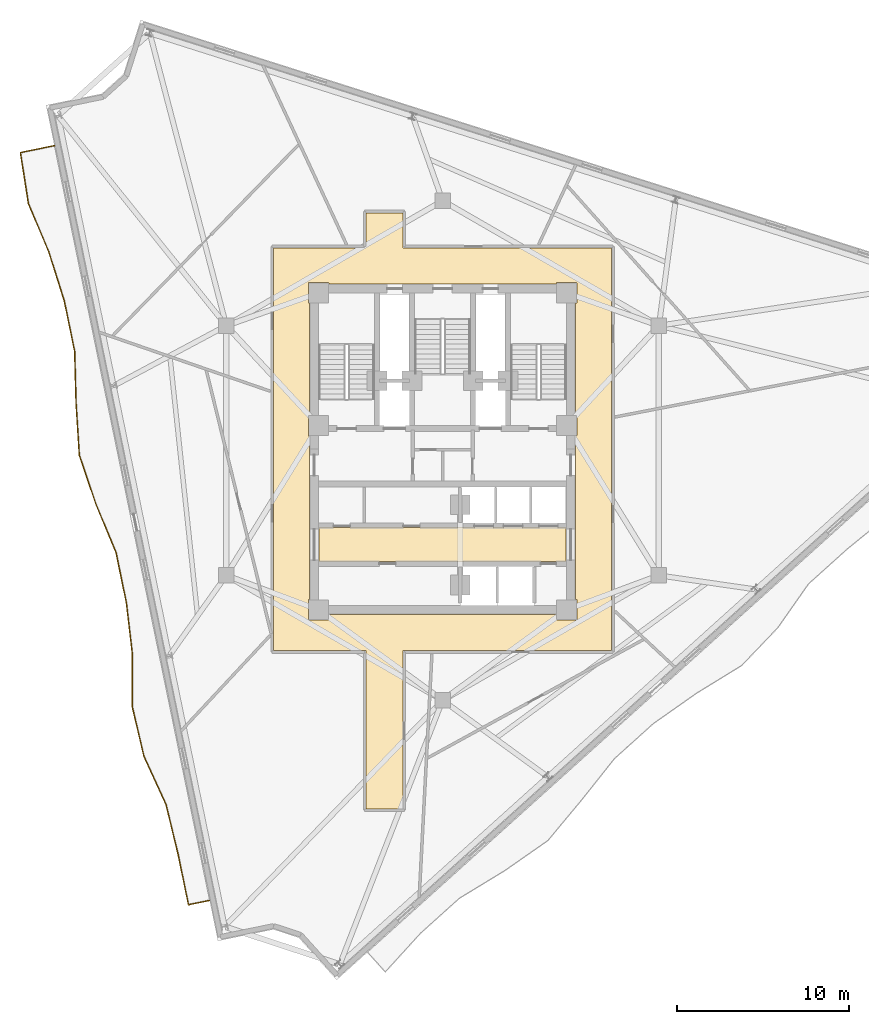
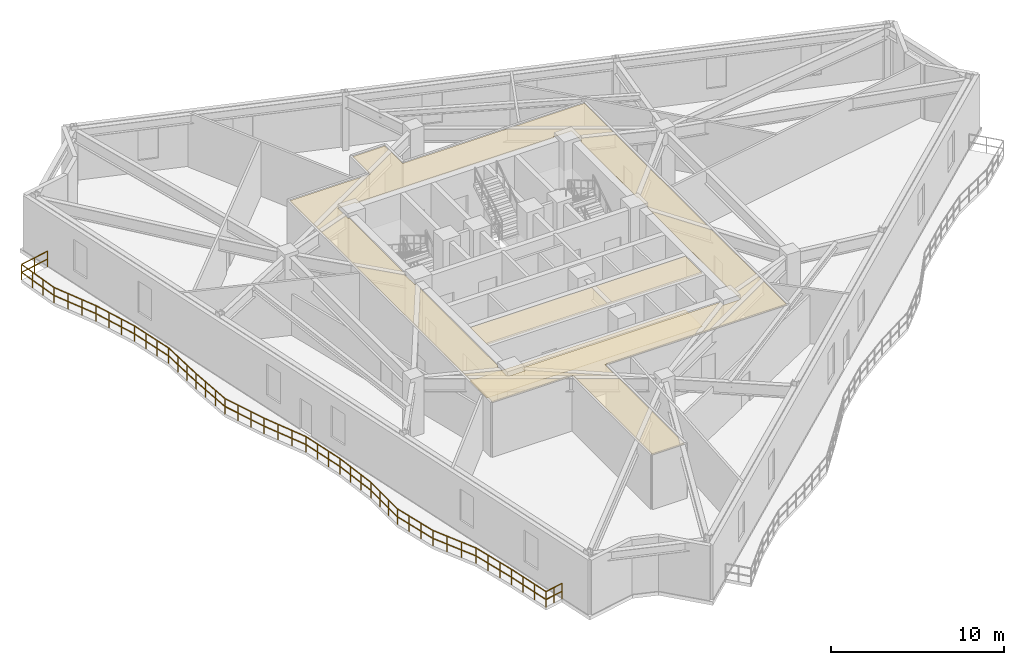
# One storey, part 9 of 11: 3 coverings, 1 railing.
"""IFC4 building model written with IfcOpenShell, lengths in metres."""

from ifc_helpers import new_model, si_unit, direction, frame, origin, origin_2d, place, context, subcontext, project, spatial, polyline, rectangle, outline, extrude, material, layer, layer_set, type_object, element, save


model = new_model("IFC4")

# Units and contexts
model_context = context("Model", 3, precision=1e-05, world=origin(), true_north=direction((0.0, 1.0)))
body_context = subcontext(model_context, "Body", "Model", "MODEL_VIEW")
ifc_project = project(units=[si_unit("LENGTHUNIT", "METRE"), si_unit("AREAUNIT", "SQUARE_METRE"), si_unit("VOLUMEUNIT", "CUBIC_METRE"), si_unit("PLANEANGLEUNIT", "RADIAN"), si_unit("MASSUNIT", "GRAM", prefix="KILO")], contexts=[model_context])

# Site, building, storey
site_placement = place(None, origin())
site = spatial("IfcSite", under=ifc_project, at=site_placement, CompositionType="ELEMENT")
building_placement = place(site_placement, origin())
building = spatial("IfcBuilding", under=site, at=building_placement, Name="Apsidion Concourse Tower", CompositionType="ELEMENT")
storey_placement = place(building_placement, frame((0.0, 0.0, 244.5)))
storey = spatial("IfcBuildingStorey", under=building, at=storey_placement, Name="L57", CompositionType="ELEMENT", Elevation=244.5)

# Coverings
ifc_material_1 = material(Name="Acoustic mineral fibre ceiling")
ifc_layer_1 = layer(ifc_material_1, 0.0400390625)
ifc_layer_set_1 = layer_set([ifc_layer_1], Name="Acoustic mineral fibre ceiling")
covering_type_1 = type_object("IfcCoveringType", Name="COV-CEIL-40", PredefinedType="CEILING", material=ifc_layer_set_1)
covering_1_placement = place(storey_placement, frame((0.0, 0.0, 3.75)))
element("IfcCovering", 1, at=covering_1_placement, inside=storey, type_object=covering_type_1, Name="L57 Acoustic Ceiling Grid 1", PredefinedType="CEILING", context=body_context, shape_type="SweptSolid", body=[
    extrude(outline(polyline([(-7.179931640625, -6.449951171875), (-7.179931640625, -4.47998046875), (7.179931640625, -4.47998046875), (7.179931640625, -6.449951171875), (-7.179931640625, -6.449951171875)])), origin(), (0.0, 0.0, 1.0), 0.0400390625),
])
covering_2_placement = place(storey_placement, frame((0.0, 0.0, 3.75)))
element("IfcCovering", 2, at=covering_2_placement, inside=storey, type_object=covering_type_1, Name="L57 Acoustic Ceiling Grid 2", PredefinedType="CEILING", context=body_context, shape_type="SweptSolid", body=[
    extrude(outline(polyline([(-9.820068359375, -11.6201171875), (-9.820068359375, 11.77001953125), (-4.449951171875, 11.77001953125), (-4.449951171875, 13.800048828125), (-2.300048828125, 13.800048828125), (-2.300048828125, 11.77001953125), (9.820068359375, 11.77001953125), (9.820068359375, -11.6201171875), (-2.300048828125, -11.6201171875), (-2.300048828125, -20.800048828125), (-4.449951171875, -20.800048828125), (-4.449951171875, -11.6201171875), (-9.820068359375, -11.6201171875)]), holes=[polyline([(-2.300048828125, 9.669921875), (-4.449951171875, 9.669921875), (-6.60498046875, 9.669921875), (-6.60498046875, 9.72509765625), (-6.60498046875, 9.72705078125), (-6.60546875, 9.72900390625), (-6.60595703125, 9.730712890625), (-6.6064453125, 9.732666015625), (-6.607421875, 9.734375), (-6.6083984375, 9.736083984375), (-6.609619140625, 9.73779296875), (-6.61083984375, 9.739013671875), (-6.6123046875, 9.740478515625), (-6.614013671875, 9.74169921875), (-6.615478515625, 9.74267578125), (-6.6171875, 9.743408203125), (-6.619140625, 9.744140625), (-6.62109375, 9.74462890625), (-6.623046875, 9.744873046875), (-6.625, 9.7451171875), (-7.77490234375, 9.7451171875), (-7.777099609375, 9.744873046875), (-7.77880859375, 9.74462890625), (-7.78076171875, 9.744140625), (-7.78271484375, 9.743408203125), (-7.784423828125, 9.74267578125), (-7.7861328125, 9.74169921875), (-7.78759765625, 9.740478515625), (-7.7890625, 9.739013671875), (-7.79052734375, 9.73779296875), (-7.79150390625, 9.736083984375), (-7.79248046875, 9.734375), (-7.79345703125, 9.732666015625), (-7.794189453125, 9.730712890625), (-7.794677734375, 9.72900390625), (-7.794921875, 9.72705078125), (-7.794921875, 9.72509765625), (-7.794921875, 8.574951171875), (-7.794921875, 8.572998046875), (-7.794677734375, 8.571044921875), (-7.794189453125, 8.569091796875), (-7.79345703125, 8.5673828125), (-7.79248046875, 8.565673828125), (-7.79150390625, 8.56396484375), (-7.79052734375, 8.562255859375), (-7.7890625, 8.560791015625), (-7.78759765625, 8.5595703125), (-7.7861328125, 8.558349609375), (-7.784423828125, 8.557373046875), (-7.78271484375, 8.556396484375), (-7.78076171875, 8.555908203125), (-7.77880859375, 8.555419921875), (-7.777099609375, 8.55517578125), (-7.77490234375, 8.554931640625), (-7.719970703125, 8.554931640625), (-7.719970703125, 2.044921875), (-7.77490234375, 2.044921875), (-7.777099609375, 2.044921875), (-7.77880859375, 2.044677734375), (-7.78076171875, 2.044189453125), (-7.78271484375, 2.04345703125), (-7.784423828125, 2.04248046875), (-7.7861328125, 2.04150390625), (-7.78759765625, 2.04052734375), (-7.7890625, 2.0390625), (-7.79052734375, 2.03759765625), (-7.79150390625, 2.0361328125), (-7.79248046875, 2.034423828125), (-7.79345703125, 2.03271484375), (-7.794189453125, 2.03076171875), (-7.794677734375, 2.02880859375), (-7.794921875, 2.027099609375), (-7.794921875, 2.02490234375), (-7.794921875, 0.875), (-7.794921875, 0.873046875), (-7.794677734375, 0.87109375), (-7.794189453125, 0.869140625), (-7.79345703125, 0.8671875), (-7.79248046875, 0.865478515625), (-7.79150390625, 0.864013671875), (-7.79052734375, 0.8623046875), (-7.7890625, 0.86083984375), (-7.78759765625, 0.859619140625), (-7.7861328125, 0.8583984375), (-7.784423828125, 0.857421875), (-7.78271484375, 0.8564453125), (-7.78076171875, 0.85595703125), (-7.77880859375, 0.85546875), (-7.777099609375, 0.85498046875), (-7.77490234375, 0.85498046875), (-7.719970703125, 0.85498046875), (-7.719970703125, -8.655029296875), (-7.77490234375, -8.655029296875), (-7.777099609375, -8.655029296875), (-7.77880859375, -8.655517578125), (-7.78076171875, -8.656005859375), (-7.78271484375, -8.656494140625), (-7.784423828125, -8.657470703125), (-7.7861328125, -8.658447265625), (-7.78759765625, -8.659423828125), (-7.7890625, -8.660888671875), (-7.79052734375, -8.662353515625), (-7.79150390625, -8.663818359375), (-7.79248046875, -8.66552734375), (-7.79345703125, -8.667236328125), (-7.794189453125, -8.669189453125), (-7.794677734375, -8.671142578125), (-7.794921875, -8.673095703125), (-7.794921875, -8.675048828125), (-7.794921875, -9.824951171875), (-7.794921875, -9.826904296875), (-7.794677734375, -9.828857421875), (-7.794189453125, -9.830810546875), (-7.79345703125, -9.832763671875), (-7.79248046875, -9.83447265625), (-7.79150390625, -9.836181640625), (-7.79052734375, -9.837646484375), (-7.7890625, -9.839111328125), (-7.78759765625, -9.840576171875), (-7.7861328125, -9.841552734375), (-7.784423828125, -9.842529296875), (-7.78271484375, -9.843505859375), (-7.78076171875, -9.843994140625), (-7.77880859375, -9.844482421875), (-7.777099609375, -9.844970703125), (-7.77490234375, -9.844970703125), (-6.625, -9.844970703125), (-6.623046875, -9.844970703125), (-6.62109375, -9.844482421875), (-6.619140625, -9.843994140625), (-6.6171875, -9.843505859375), (-6.615478515625, -9.842529296875), (-6.614013671875, -9.841552734375), (-6.6123046875, -9.840576171875), (-6.61083984375, -9.839111328125), (-6.609619140625, -9.837646484375), (-6.6083984375, -9.836181640625), (-6.607421875, -9.83447265625), (-6.6064453125, -9.832763671875), (-6.60595703125, -9.830810546875), (-6.60546875, -9.828857421875), (-6.60498046875, -9.826904296875), (-6.60498046875, -9.824951171875), (-6.60498046875, -9.52001953125), (-4.449951171875, -9.52001953125), (-2.300048828125, -9.52001953125), (6.60498046875, -9.52001953125), (6.60498046875, -9.824951171875), (6.60498046875, -9.826904296875), (6.60546875, -9.828857421875), (6.60595703125, -9.830810546875), (6.6064453125, -9.832763671875), (6.607421875, -9.83447265625), (6.6083984375, -9.836181640625), (6.609619140625, -9.837646484375), (6.61083984375, -9.839111328125), (6.6123046875, -9.840576171875), (6.614013671875, -9.841552734375), (6.615478515625, -9.842529296875), (6.6171875, -9.843505859375), (6.619140625, -9.843994140625), (6.62109375, -9.844482421875), (6.623046875, -9.844970703125), (6.625, -9.844970703125), (7.77490234375, -9.844970703125), (7.777099609375, -9.844970703125), (7.77880859375, -9.844482421875), (7.78076171875, -9.843994140625), (7.78271484375, -9.843505859375), (7.784423828125, -9.842529296875), (7.7861328125, -9.841552734375), (7.78759765625, -9.840576171875), (7.7890625, -9.839111328125), (7.79052734375, -9.837646484375), (7.79150390625, -9.836181640625), (7.79248046875, -9.83447265625), (7.79345703125, -9.832763671875), (7.794189453125, -9.830810546875), (7.794677734375, -9.828857421875), (7.794921875, -9.826904296875), (7.794921875, -9.824951171875), (7.794921875, -8.675048828125), (7.794921875, -8.673095703125), (7.794677734375, -8.671142578125), (7.794189453125, -8.669189453125), (7.79345703125, -8.667236328125), (7.79248046875, -8.66552734375), (7.79150390625, -8.663818359375), (7.79052734375, -8.662353515625), (7.7890625, -8.660888671875), (7.78759765625, -8.659423828125), (7.7861328125, -8.658447265625), (7.784423828125, -8.657470703125), (7.78271484375, -8.656494140625), (7.78076171875, -8.656005859375), (7.77880859375, -8.655517578125), (7.777099609375, -8.655029296875), (7.77490234375, -8.655029296875), (7.719970703125, -8.655029296875), (7.719970703125, 0.85498046875), (7.77490234375, 0.85498046875), (7.777099609375, 0.85498046875), (7.77880859375, 0.85546875), (7.78076171875, 0.85595703125), (7.78271484375, 0.8564453125), (7.784423828125, 0.857421875), (7.7861328125, 0.8583984375), (7.78759765625, 0.859619140625), (7.7890625, 0.86083984375), (7.79052734375, 0.8623046875), (7.79150390625, 0.864013671875), (7.79248046875, 0.865478515625), (7.79345703125, 0.8671875), (7.794189453125, 0.869140625), (7.794677734375, 0.87109375), (7.794921875, 0.873046875), (7.794921875, 0.875), (7.794921875, 2.02490234375), (7.794921875, 2.027099609375), (7.794677734375, 2.02880859375), (7.794189453125, 2.03076171875), (7.79345703125, 2.03271484375), (7.79248046875, 2.034423828125), (7.79150390625, 2.0361328125), (7.79052734375, 2.03759765625), (7.7890625, 2.0390625), (7.78759765625, 2.04052734375), (7.7861328125, 2.04150390625), (7.784423828125, 2.04248046875), (7.78271484375, 2.04345703125), (7.78076171875, 2.044189453125), (7.77880859375, 2.044677734375), (7.777099609375, 2.044921875), (7.77490234375, 2.044921875), (7.719970703125, 2.044921875), (7.719970703125, 8.554931640625), (7.77490234375, 8.554931640625), (7.777099609375, 8.55517578125), (7.77880859375, 8.555419921875), (7.78076171875, 8.555908203125), (7.78271484375, 8.556396484375), (7.784423828125, 8.557373046875), (7.7861328125, 8.558349609375), (7.78759765625, 8.5595703125), (7.7890625, 8.560791015625), (7.79052734375, 8.562255859375), (7.79150390625, 8.56396484375), (7.79248046875, 8.565673828125), (7.79345703125, 8.5673828125), (7.794189453125, 8.569091796875), (7.794677734375, 8.571044921875), (7.794921875, 8.572998046875), (7.794921875, 8.574951171875), (7.794921875, 9.72509765625), (7.794921875, 9.72705078125), (7.794677734375, 9.72900390625), (7.794189453125, 9.730712890625), (7.79345703125, 9.732666015625), (7.79248046875, 9.734375), (7.79150390625, 9.736083984375), (7.79052734375, 9.73779296875), (7.7890625, 9.739013671875), (7.78759765625, 9.740478515625), (7.7861328125, 9.74169921875), (7.784423828125, 9.74267578125), (7.78271484375, 9.743408203125), (7.78076171875, 9.744140625), (7.77880859375, 9.74462890625), (7.777099609375, 9.744873046875), (7.77490234375, 9.7451171875), (6.625, 9.7451171875), (6.623046875, 9.744873046875), (6.62109375, 9.74462890625), (6.619140625, 9.744140625), (6.6171875, 9.743408203125), (6.615478515625, 9.74267578125), (6.614013671875, 9.74169921875), (6.6123046875, 9.740478515625), (6.61083984375, 9.739013671875), (6.609619140625, 9.73779296875), (6.6083984375, 9.736083984375), (6.607421875, 9.734375), (6.6064453125, 9.732666015625), (6.60595703125, 9.730712890625), (6.60546875, 9.72900390625), (6.60498046875, 9.72705078125), (6.60498046875, 9.72509765625), (6.60498046875, 9.669921875), (-2.300048828125, 9.669921875)])]), origin(), (0.0, 0.0, 1.0), 0.0400390625),
])
ifc_material_2 = material(Name="Honed travertine floor finish", Category="masonry")
ifc_layer_2 = layer(ifc_material_2, 0.02001953125)
ifc_layer_set_2 = layer_set([ifc_layer_2], Name="Honed travertine floor finish")
covering_type_2 = type_object("IfcCoveringType", Name="COV-FLOR-20", PredefinedType="FLOORING", material=ifc_layer_set_2)
covering_3_placement = place(storey_placement, origin())
element("IfcCovering", 3, at=covering_3_placement, inside=storey, type_object=covering_type_2, Name="L57 Honed Travertine Floor Finish 1", PredefinedType="FLOORING", context=body_context, shape_type="SweptSolid", body=[
    extrude(outline(polyline([(-7.179931640625, -6.449951171875), (-7.179931640625, -4.47998046875), (7.179931640625, -4.47998046875), (7.179931640625, -6.449951171875), (-7.179931640625, -6.449951171875)])), origin(), (0.0, 0.0, 1.0), 0.02001953125),
])

# Railing
ifc_material_3 = material(Name="Brushed stainless steel 316", Category="steel")
railing_type = type_object("IfcRailingType", Name="RL-BAL-1120", PredefinedType="BALUSTRADE", material=ifc_material_3)
railing_placement = place(storey_placement, frame((-13.5322265625, -26.12451171875, 0.0)))
element("IfcRailing", 4, at=railing_placement, inside=storey, type_object=railing_type, Name="L57 Face 1 Rippling Balcony Balustrade", PredefinedType="BALUSTRADE", context=body_context, shape_type="SweptSolid", body=[
    extrude(rectangle(XDim=0.048095703125, YDim=0.048095703125, at=origin_2d()), frame((0.0, 0.0, 1.09619140625), z_axis=(-0.979476326586, -0.201559236099, 0.0), x_axis=(0.201559236099, -0.979476326586, 0.0)), (0.0, 0.0, 1.0), 1.25),
    extrude(rectangle(XDim=0.048095703125, YDim=0.048095703125, at=origin_2d()), frame((0.0, 0.0, 0.5361328125), z_axis=(-0.979476326586, -0.201559236099, 0.0), x_axis=(0.201559236099, -0.979476326586, 0.0)), (0.0, 0.0, 1.0), 1.25),
    extrude(rectangle(XDim=0.048095703125, YDim=0.048095703125, at=origin_2d()), frame((-1.224365234375, -0.251953125, 1.09619140625), z_axis=(-0.201495889419, 0.979489360099, 0.0), x_axis=(-0.979489360099, -0.201495889419, 0.0)), (0.0, 0.0, 1.0), 2.983154296875),
    extrude(rectangle(XDim=0.048095703125, YDim=0.048095703125, at=origin_2d()), frame((-1.224365234375, -0.251953125, 0.5361328125), z_axis=(-0.201495889419, 0.979489360099, 0.0), x_axis=(-0.979489360099, -0.201495889419, 0.0)), (0.0, 0.0, 1.0), 2.983154296875),
    extrude(rectangle(XDim=0.048095703125, YDim=0.048095703125, at=origin_2d()), frame((-1.825439453125, 2.669921875, 1.09619140625), z_axis=(-0.235485313559, 0.971877907506, 0.0), x_axis=(-0.971877907506, -0.235485313559, 0.0)), (0.0, 0.0, 1.0), 2.98486328125),
    extrude(rectangle(XDim=0.048095703125, YDim=0.048095703125, at=origin_2d()), frame((-1.825439453125, 2.669921875, 0.5361328125), z_axis=(-0.235485313559, 0.971877907506, 0.0), x_axis=(-0.971877907506, -0.235485313559, 0.0)), (0.0, 0.0, 1.0), 2.98486328125),
    extrude(rectangle(XDim=0.048095703125, YDim=0.048095703125, at=origin_2d()), frame((-2.5283203125, 5.57080078125, 1.09619140625), z_axis=(-0.41717629759, 0.908825581027, 0.0), x_axis=(-0.908825581027, -0.41717629759, 0.0)), (0.0, 0.0, 1.0), 3.061767578125),
    extrude(rectangle(XDim=0.048095703125, YDim=0.048095703125, at=origin_2d()), frame((-2.5283203125, 5.57080078125, 0.5361328125), z_axis=(-0.41717629759, 0.908825581027, 0.0), x_axis=(-0.908825581027, -0.41717629759, 0.0)), (0.0, 0.0, 1.0), 3.061767578125),
    extrude(rectangle(XDim=0.048095703125, YDim=0.048095703125, at=origin_2d()), frame((-3.8056640625, 8.353515625, 1.09619140625), z_axis=(-0.229463357542, 0.973317300548, 0.0), x_axis=(-0.973317300548, -0.229463357542, 0.0)), (0.0, 0.0, 1.0), 2.984375),
    extrude(rectangle(XDim=0.048095703125, YDim=0.048095703125, at=origin_2d()), frame((-3.8056640625, 8.353515625, 0.5361328125), z_axis=(-0.229463357542, 0.973317300548, 0.0), x_axis=(-0.973317300548, -0.229463357542, 0.0)), (0.0, 0.0, 1.0), 2.984375),
    extrude(rectangle(XDim=0.048095703125, YDim=0.048095703125, at=origin_2d()), frame((-4.490478515625, 11.25830078125, 1.09619140625), z_axis=(0.003364556779, 0.999994339863, 0.0), x_axis=(-0.999994339863, 0.003364556779, 0.0)), (0.0, 0.0, 1.0), 3.047607421875),
    extrude(rectangle(XDim=0.048095703125, YDim=0.048095703125, at=origin_2d()), frame((-4.490478515625, 11.25830078125, 0.5361328125), z_axis=(0.003364556779, 0.999994339863, 0.0), x_axis=(-0.999994339863, 0.003364556779, 0.0)), (0.0, 0.0, 1.0), 3.047607421875),
    extrude(rectangle(XDim=0.048095703125, YDim=0.048095703125, at=origin_2d()), frame((-4.480224609375, 14.305908203125, 1.09619140625), z_axis=(-0.116694571996, 0.993167849292, 0.0), x_axis=(-0.993167849292, -0.116694571996, 0.0)), (0.0, 0.0, 1.0), 2.993896484375),
    extrude(rectangle(XDim=0.048095703125, YDim=0.048095703125, at=origin_2d()), frame((-4.480224609375, 14.305908203125, 0.5361328125), z_axis=(-0.116694571996, 0.993167849292, 0.0), x_axis=(-0.993167849292, -0.116694571996, 0.0)), (0.0, 0.0, 1.0), 2.993896484375),
    extrude(rectangle(XDim=0.048095703125, YDim=0.048095703125, at=origin_2d()), frame((-4.82958984375, 17.279296875, 1.09619140625), z_axis=(-0.201417367965, 0.979505509878, 0.0), x_axis=(-0.979505509878, -0.201417367965, 0.0)), (0.0, 0.0, 1.0), 2.98291015625),
    extrude(rectangle(XDim=0.048095703125, YDim=0.048095703125, at=origin_2d()), frame((-4.82958984375, 17.279296875, 0.5361328125), z_axis=(-0.201417367965, 0.979505509878, 0.0), x_axis=(-0.979505509878, -0.201417367965, 0.0)), (0.0, 0.0, 1.0), 2.98291015625),
    extrude(rectangle(XDim=0.048095703125, YDim=0.048095703125, at=origin_2d()), frame((-5.430419921875, 20.201171875, 1.09619140625), z_axis=(-0.38367379965, 0.92346868678, 0.0), x_axis=(-0.92346868678, -0.38367379965, 0.0)), (0.0, 0.0, 1.0), 3.038330078125),
    extrude(rectangle(XDim=0.048095703125, YDim=0.048095703125, at=origin_2d()), frame((-5.430419921875, 20.201171875, 0.5361328125), z_axis=(-0.38367379965, 0.92346868678, 0.0), x_axis=(-0.92346868678, -0.38367379965, 0.0)), (0.0, 0.0, 1.0), 3.038330078125),
    extrude(rectangle(XDim=0.048095703125, YDim=0.048095703125, at=origin_2d()), frame((-6.59619140625, 23.007080078125, 1.09619140625), z_axis=(-0.321363971982, 0.946955752669, 0.0), x_axis=(-0.946955752669, -0.321363971982, 0.0)), (0.0, 0.0, 1.0), 3.006103515625),
    extrude(rectangle(XDim=0.048095703125, YDim=0.048095703125, at=origin_2d()), frame((-6.59619140625, 23.007080078125, 0.5361328125), z_axis=(-0.321363971982, 0.946955752669, 0.0), x_axis=(-0.946955752669, -0.321363971982, 0.0)), (0.0, 0.0, 1.0), 3.006103515625),
    extrude(rectangle(XDim=0.048095703125, YDim=0.048095703125, at=origin_2d()), frame((-7.562255859375, 25.853759765625, 1.09619140625), z_axis=(-0.062645691947, 0.998035829658, 0.0), x_axis=(-0.998035829658, -0.062645691947, 0.0)), (0.0, 0.0, 1.0), 3.012451171875),
    extrude(rectangle(XDim=0.048095703125, YDim=0.048095703125, at=origin_2d()), frame((-7.562255859375, 25.853759765625, 0.5361328125), z_axis=(-0.062645691947, 0.998035829658, 0.0), x_axis=(-0.998035829658, -0.062645691947, 0.0)), (0.0, 0.0, 1.0), 3.012451171875),
    extrude(rectangle(XDim=0.048095703125, YDim=0.048095703125, at=origin_2d()), frame((-7.7509765625, 28.8603515625, 1.09619140625), z_axis=(-0.027400221281, 0.999624543453, 0.0), x_axis=(-0.999624543453, -0.027400221281, 0.0)), (0.0, 0.0, 1.0), 3.029541015625),
    extrude(rectangle(XDim=0.048095703125, YDim=0.048095703125, at=origin_2d()), frame((-7.7509765625, 28.8603515625, 0.5361328125), z_axis=(-0.027400221281, 0.999624543453, 0.0), x_axis=(-0.999624543453, -0.027400221281, 0.0)), (0.0, 0.0, 1.0), 3.029541015625),
    extrude(rectangle(XDim=0.048095703125, YDim=0.048095703125, at=origin_2d()), frame((-7.833984375, 31.888671875, 1.09619140625), z_axis=(-0.201417367965, 0.979505509878, 0.0), x_axis=(-0.979505509878, -0.201417367965, 0.0)), (0.0, 0.0, 1.0), 2.98291015625),
    extrude(rectangle(XDim=0.048095703125, YDim=0.048095703125, at=origin_2d()), frame((-7.833984375, 31.888671875, 0.5361328125), z_axis=(-0.201417367965, 0.979505509878, 0.0), x_axis=(-0.979505509878, -0.201417367965, 0.0)), (0.0, 0.0, 1.0), 2.98291015625),
    extrude(rectangle(XDim=0.048095703125, YDim=0.048095703125, at=origin_2d()), frame((-8.434814453125, 34.810546875, 1.09619140625), z_axis=(-0.301193701616, 0.953562978574, 0.0), x_axis=(-0.953562978574, -0.301193701616, 0.0)), (0.0, 0.0, 1.0), 2.9990234375),
    extrude(rectangle(XDim=0.048095703125, YDim=0.048095703125, at=origin_2d()), frame((-8.434814453125, 34.810546875, 0.5361328125), z_axis=(-0.301193701616, 0.953562978574, 0.0), x_axis=(-0.953562978574, -0.301193701616, 0.0)), (0.0, 0.0, 1.0), 2.9990234375),
    extrude(rectangle(XDim=0.048095703125, YDim=0.048095703125, at=origin_2d()), frame((-9.338134765625, 37.67041015625, 1.09619140625), z_axis=(-0.388681339648, 0.921372246277, 0.0), x_axis=(-0.921372246277, -0.388681339648, 0.0)), (0.0, 0.0, 1.0), 3.04150390625),
    extrude(rectangle(XDim=0.048095703125, YDim=0.048095703125, at=origin_2d()), frame((-9.338134765625, 37.67041015625, 0.5361328125), z_axis=(-0.388681339648, 0.921372246277, 0.0), x_axis=(-0.921372246277, -0.388681339648, 0.0)), (0.0, 0.0, 1.0), 3.04150390625),
    extrude(rectangle(XDim=0.048095703125, YDim=0.048095703125, at=origin_2d()), frame((-10.520263671875, 40.47265625, 1.09619140625), z_axis=(-0.15443424065, 0.988003069486, 0.0), x_axis=(-0.988003069486, -0.15443424065, 0.0)), (0.0, 0.0, 1.0), 2.986328125),
    extrude(rectangle(XDim=0.048095703125, YDim=0.048095703125, at=origin_2d()), frame((-10.520263671875, 40.47265625, 0.5361328125), z_axis=(-0.15443424065, 0.988003069486, 0.0), x_axis=(-0.988003069486, -0.15443424065, 0.0)), (0.0, 0.0, 1.0), 2.986328125),
    extrude(rectangle(XDim=0.048095703125, YDim=0.048095703125, at=origin_2d()), frame((-10.9814453125, 43.423095703125, 1.09619140625), z_axis=(0.979476800075, 0.201556935168, 0.0), x_axis=(-0.201556935168, 0.979476800075, 0.0)), (0.0, 0.0, 1.0), 2.009521484375),
    extrude(rectangle(XDim=0.048095703125, YDim=0.048095703125, at=origin_2d()), frame((-10.9814453125, 43.423095703125, 0.5361328125), z_axis=(0.979476800075, 0.201556935168, 0.0), x_axis=(-0.201556935168, 0.979476800075, 0.0)), (0.0, 0.0, 1.0), 2.009521484375),
    extrude(rectangle(XDim=0.0419921875, YDim=0.0419921875, at=origin_2d()), origin(), (0.0, 0.0, 1.0), 1.072021484375),
    extrude(rectangle(XDim=0.0419921875, YDim=0.0419921875, at=origin_2d()), frame((-0.6123046875, -0.1259765625, 0.0)), (0.0, 0.0, 1.0), 1.072021484375),
    extrude(rectangle(XDim=0.0419921875, YDim=0.0419921875, at=origin_2d()), frame((-1.224365234375, -0.251953125, 0.0)), (0.0, 0.0, 1.0), 1.072021484375),
    extrude(rectangle(XDim=0.0419921875, YDim=0.0419921875, at=origin_2d()), frame((-1.4248046875, 0.721923828125, 0.0)), (0.0, 0.0, 1.0), 1.072021484375),
    extrude(rectangle(XDim=0.0419921875, YDim=0.0419921875, at=origin_2d()), frame((-1.625, 1.696044921875, 0.0)), (0.0, 0.0, 1.0), 1.072021484375),
    extrude(rectangle(XDim=0.0419921875, YDim=0.0419921875, at=origin_2d()), frame((-1.825439453125, 2.669921875, 0.0)), (0.0, 0.0, 1.0), 1.072021484375),
    extrude(rectangle(XDim=0.0419921875, YDim=0.0419921875, at=origin_2d()), frame((-2.059814453125, 3.636962890625, 0.0)), (0.0, 0.0, 1.0), 1.072021484375),
    extrude(rectangle(XDim=0.0419921875, YDim=0.0419921875, at=origin_2d()), frame((-2.2939453125, 4.603759765625, 0.0)), (0.0, 0.0, 1.0), 1.072021484375),
    extrude(rectangle(XDim=0.0419921875, YDim=0.0419921875, at=origin_2d()), frame((-2.5283203125, 5.57080078125, 0.0)), (0.0, 0.0, 1.0), 1.072021484375),
    extrude(rectangle(XDim=0.0419921875, YDim=0.0419921875, at=origin_2d()), frame((-2.9541015625, 6.498291015625, 0.0)), (0.0, 0.0, 1.0), 1.072021484375),
    extrude(rectangle(XDim=0.0419921875, YDim=0.0419921875, at=origin_2d()), frame((-3.3798828125, 7.426025390625, 0.0)), (0.0, 0.0, 1.0), 1.072021484375),
    extrude(rectangle(XDim=0.0419921875, YDim=0.0419921875, at=origin_2d()), frame((-3.8056640625, 8.353515625, 0.0)), (0.0, 0.0, 1.0), 1.072021484375),
    extrude(rectangle(XDim=0.0419921875, YDim=0.0419921875, at=origin_2d()), frame((-4.033935546875, 9.32177734375, 0.0)), (0.0, 0.0, 1.0), 1.072021484375),
    extrude(rectangle(XDim=0.0419921875, YDim=0.0419921875, at=origin_2d()), frame((-4.26220703125, 10.2900390625, 0.0)), (0.0, 0.0, 1.0), 1.072021484375),
    extrude(rectangle(XDim=0.0419921875, YDim=0.0419921875, at=origin_2d()), frame((-4.490478515625, 11.25830078125, 0.0)), (0.0, 0.0, 1.0), 1.072021484375),
    extrude(rectangle(XDim=0.0419921875, YDim=0.0419921875, at=origin_2d()), frame((-4.487060546875, 12.274169921875, 0.0)), (0.0, 0.0, 1.0), 1.072021484375),
    extrude(rectangle(XDim=0.0419921875, YDim=0.0419921875, at=origin_2d()), frame((-4.483642578125, 13.2900390625, 0.0)), (0.0, 0.0, 1.0), 1.072021484375),
    extrude(rectangle(XDim=0.0419921875, YDim=0.0419921875, at=origin_2d()), frame((-4.480224609375, 14.305908203125, 0.0)), (0.0, 0.0, 1.0), 1.072021484375),
    extrude(rectangle(XDim=0.0419921875, YDim=0.0419921875, at=origin_2d()), frame((-4.5966796875, 15.297119140625, 0.0)), (0.0, 0.0, 1.0), 1.072021484375),
    extrude(rectangle(XDim=0.0419921875, YDim=0.0419921875, at=origin_2d()), frame((-4.713134765625, 16.2880859375, 0.0)), (0.0, 0.0, 1.0), 1.072021484375),
    extrude(rectangle(XDim=0.0419921875, YDim=0.0419921875, at=origin_2d()), frame((-4.82958984375, 17.279296875, 0.0)), (0.0, 0.0, 1.0), 1.072021484375),
    extrude(rectangle(XDim=0.0419921875, YDim=0.0419921875, at=origin_2d()), frame((-5.02978515625, 18.253173828125, 0.0)), (0.0, 0.0, 1.0), 1.072021484375),
    extrude(rectangle(XDim=0.0419921875, YDim=0.0419921875, at=origin_2d()), frame((-5.230224609375, 19.227294921875, 0.0)), (0.0, 0.0, 1.0), 1.072021484375),
    extrude(rectangle(XDim=0.0419921875, YDim=0.0419921875, at=origin_2d()), frame((-5.430419921875, 20.201171875, 0.0)), (0.0, 0.0, 1.0), 1.072021484375),
    extrude(rectangle(XDim=0.0419921875, YDim=0.0419921875, at=origin_2d()), frame((-5.819091796875, 21.136474609375, 0.0)), (0.0, 0.0, 1.0), 1.072021484375),
    extrude(rectangle(XDim=0.0419921875, YDim=0.0419921875, at=origin_2d()), frame((-6.20751953125, 22.07177734375, 0.0)), (0.0, 0.0, 1.0), 1.072021484375),
    extrude(rectangle(XDim=0.0419921875, YDim=0.0419921875, at=origin_2d()), frame((-6.59619140625, 23.007080078125, 0.0)), (0.0, 0.0, 1.0), 1.072021484375),
    extrude(rectangle(XDim=0.0419921875, YDim=0.0419921875, at=origin_2d()), frame((-6.918212890625, 23.9560546875, 0.0)), (0.0, 0.0, 1.0), 1.072021484375),
    extrude(rectangle(XDim=0.0419921875, YDim=0.0419921875, at=origin_2d()), frame((-7.240234375, 24.90478515625, 0.0)), (0.0, 0.0, 1.0), 1.072021484375),
    extrude(rectangle(XDim=0.0419921875, YDim=0.0419921875, at=origin_2d()), frame((-7.562255859375, 25.853759765625, 0.0)), (0.0, 0.0, 1.0), 1.072021484375),
    extrude(rectangle(XDim=0.0419921875, YDim=0.0419921875, at=origin_2d()), frame((-7.625244140625, 26.85595703125, 0.0)), (0.0, 0.0, 1.0), 1.072021484375),
    extrude(rectangle(XDim=0.0419921875, YDim=0.0419921875, at=origin_2d()), frame((-7.68798828125, 27.858154296875, 0.0)), (0.0, 0.0, 1.0), 1.072021484375),
    extrude(rectangle(XDim=0.0419921875, YDim=0.0419921875, at=origin_2d()), frame((-7.7509765625, 28.8603515625, 0.0)), (0.0, 0.0, 1.0), 1.072021484375),
    extrude(rectangle(XDim=0.0419921875, YDim=0.0419921875, at=origin_2d()), frame((-7.778564453125, 29.869873046875, 0.0)), (0.0, 0.0, 1.0), 1.072021484375),
    extrude(rectangle(XDim=0.0419921875, YDim=0.0419921875, at=origin_2d()), frame((-7.806396484375, 30.879150390625, 0.0)), (0.0, 0.0, 1.0), 1.072021484375),
    extrude(rectangle(XDim=0.0419921875, YDim=0.0419921875, at=origin_2d()), frame((-7.833984375, 31.888671875, 0.0)), (0.0, 0.0, 1.0), 1.072021484375),
    extrude(rectangle(XDim=0.0419921875, YDim=0.0419921875, at=origin_2d()), frame((-8.0341796875, 32.862548828125, 0.0)), (0.0, 0.0, 1.0), 1.072021484375),
    extrude(rectangle(XDim=0.0419921875, YDim=0.0419921875, at=origin_2d()), frame((-8.234619140625, 33.836669921875, 0.0)), (0.0, 0.0, 1.0), 1.072021484375),
    extrude(rectangle(XDim=0.0419921875, YDim=0.0419921875, at=origin_2d()), frame((-8.434814453125, 34.810546875, 0.0)), (0.0, 0.0, 1.0), 1.072021484375),
    extrude(rectangle(XDim=0.0419921875, YDim=0.0419921875, at=origin_2d()), frame((-8.73583984375, 35.763916015625, 0.0)), (0.0, 0.0, 1.0), 1.072021484375),
    extrude(rectangle(XDim=0.0419921875, YDim=0.0419921875, at=origin_2d()), frame((-9.037109375, 36.717041015625, 0.0)), (0.0, 0.0, 1.0), 1.072021484375),
    extrude(rectangle(XDim=0.0419921875, YDim=0.0419921875, at=origin_2d()), frame((-9.338134765625, 37.67041015625, 0.0)), (0.0, 0.0, 1.0), 1.072021484375),
    extrude(rectangle(XDim=0.0419921875, YDim=0.0419921875, at=origin_2d()), frame((-9.732177734375, 38.6044921875, 0.0)), (0.0, 0.0, 1.0), 1.072021484375),
    extrude(rectangle(XDim=0.0419921875, YDim=0.0419921875, at=origin_2d()), frame((-10.126220703125, 39.53857421875, 0.0)), (0.0, 0.0, 1.0), 1.072021484375),
    extrude(rectangle(XDim=0.0419921875, YDim=0.0419921875, at=origin_2d()), frame((-10.520263671875, 40.47265625, 0.0)), (0.0, 0.0, 1.0), 1.072021484375),
    extrude(rectangle(XDim=0.0419921875, YDim=0.0419921875, at=origin_2d()), frame((-10.674072265625, 41.4560546875, 0.0)), (0.0, 0.0, 1.0), 1.072021484375),
    extrude(rectangle(XDim=0.0419921875, YDim=0.0419921875, at=origin_2d()), frame((-10.82763671875, 42.439697265625, 0.0)), (0.0, 0.0, 1.0), 1.072021484375),
    extrude(rectangle(XDim=0.0419921875, YDim=0.0419921875, at=origin_2d()), frame((-10.9814453125, 43.423095703125, 0.0)), (0.0, 0.0, 1.0), 1.072021484375),
    extrude(rectangle(XDim=0.0419921875, YDim=0.0419921875, at=origin_2d()), frame((-9.997314453125, 43.62548828125, 0.0)), (0.0, 0.0, 1.0), 1.072021484375),
    extrude(rectangle(XDim=0.0419921875, YDim=0.0419921875, at=origin_2d()), frame((-9.01318359375, 43.828125, 0.0)), (0.0, 0.0, 1.0), 1.072021484375),
])

save(model, "model.ifc")
